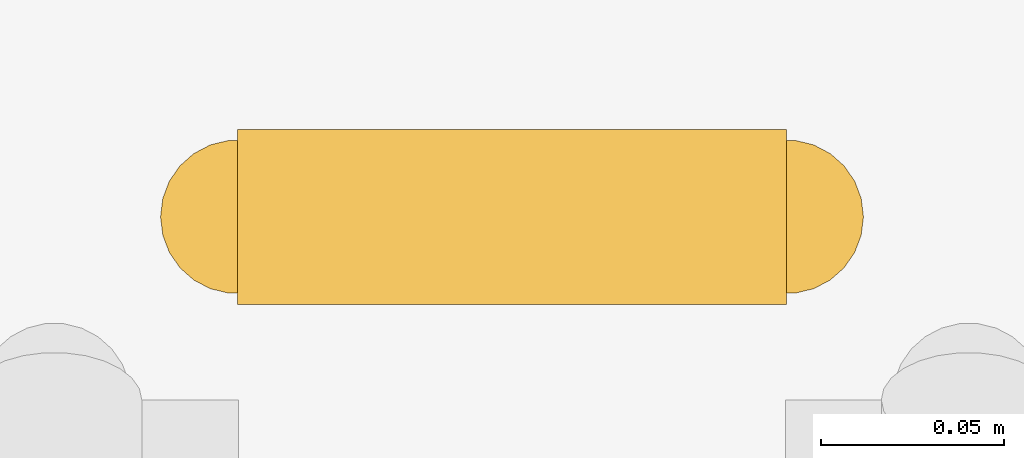
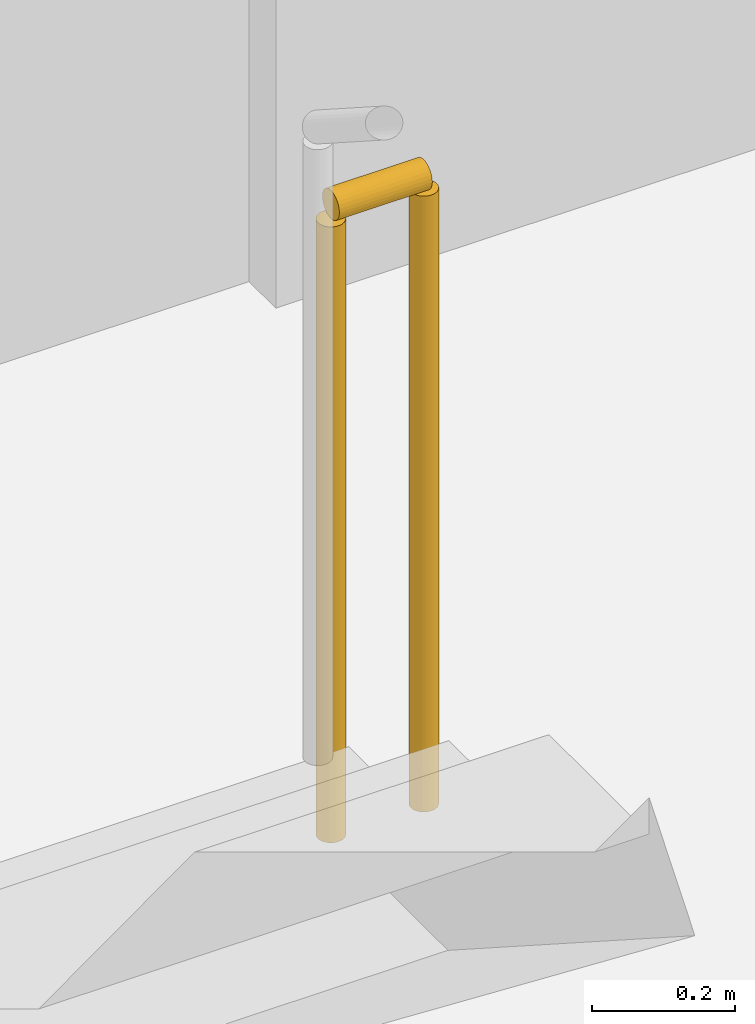
# One storey, part 43 of 48: 1 railing.
"""IFC4 building model written with IfcOpenShell, lengths in metres."""

from ifc_helpers import new_model, si_unit, direction, frame, origin, origin_2d, place, context, subcontext, project, spatial, circle, extrude, material, type_object, element, save


model = new_model("IFC4")

# Units and contexts
model_context = context("Model", 3, precision=1e-05, world=origin(), true_north=direction((0.0, 1.0)))
body_context = subcontext(model_context, "Body", "Model", "MODEL_VIEW")
ifc_project = project(units=[si_unit("LENGTHUNIT", "METRE"), si_unit("AREAUNIT", "SQUARE_METRE"), si_unit("VOLUMEUNIT", "CUBIC_METRE"), si_unit("PLANEANGLEUNIT", "RADIAN"), si_unit("MASSUNIT", "GRAM", prefix="KILO")], contexts=[model_context])

# Site, building, storey
site_placement = place(None, origin())
site = spatial("IfcSite", under=ifc_project, at=site_placement, CompositionType="ELEMENT")
building_placement = place(site_placement, origin())
building = spatial("IfcBuilding", under=site, at=building_placement, Name="Ogive Gate Towers", CompositionType="ELEMENT")
storey_placement = place(building_placement, origin())
storey = spatial("IfcBuildingStorey", under=building, at=storey_placement, Name="L00", CompositionType="ELEMENT", Elevation=0.0)

# Railing
ifc_material = material(Name="Steel and glass guard", Category="steel")
railing_type = type_object("IfcRailingType", Name="Podium stair guard 1100", PredefinedType="GUARDRAIL", material=ifc_material)
railing_placement = place(storey_placement, frame((58.199951171875, -10.89990234375, 0.0)))
element("IfcRailing", 1, at=railing_placement, inside=storey, type_object=railing_type, Name="L00 PS2 stair guard 4", PredefinedType="GUARDRAIL", context=body_context, shape_type="SweptSolid", body=[
    extrude(circle(Radius=0.02392578125, at=origin_2d()), frame((0.0, 0.0, 1.076171875), z_axis=(1.0, 0.0, 0.0), x_axis=(0.0, 1.0, 0.0)), (0.0, 0.0, 1.0), 0.150146484375),
    extrude(circle(Radius=0.02099609375, at=origin_2d()), origin(), (0.0, 0.0, 1.0), 1.052001953125),
    extrude(circle(Radius=0.02099609375, at=origin_2d()), frame((0.150146484375, 0.0, 0.0)), (0.0, 0.0, 1.0), 1.052001953125),
])

save(model, "model.ifc")
